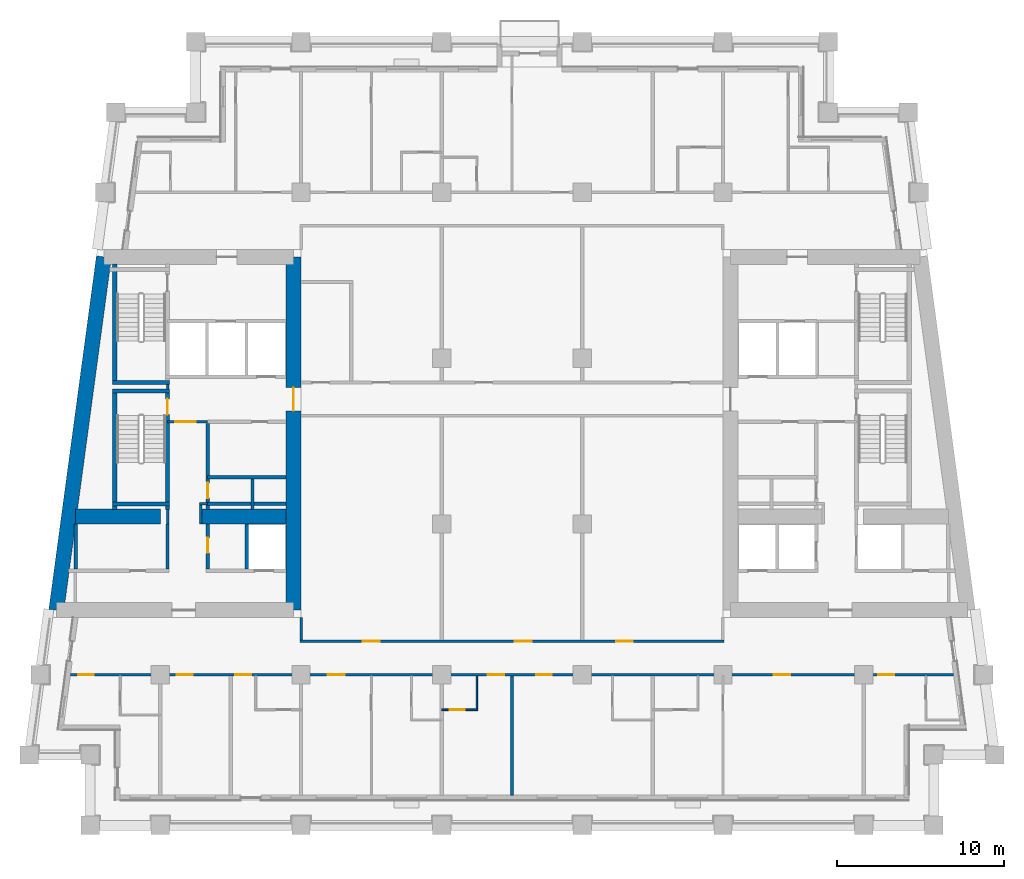
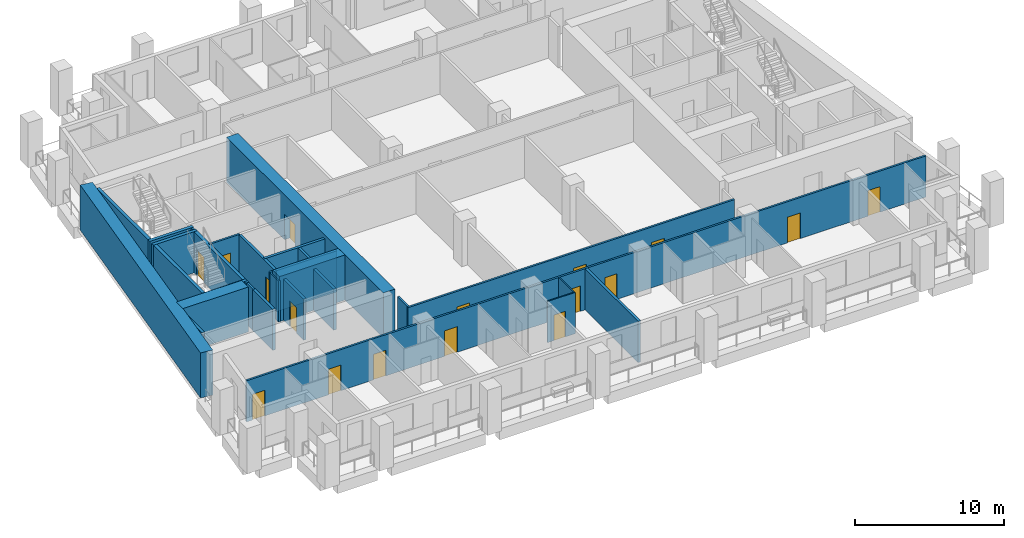
# One storey, part 3 of 12: 29 walls, 17 doors, 17 openings.
"""IFC4 building model written with IfcOpenShell, lengths in metres."""

from ifc_helpers import new_model, si_unit, direction, frame, frame_2d, origin, place, context, subcontext, project, spatial, rectangle, extrude, material, layer, layer_set, type_object, element, fill, save


model = new_model("IFC4")

# Units and contexts
model_context = context("Model", 3, precision=1e-05, world=origin(), true_north=direction((0.0, 1.0)))
body_context = subcontext(model_context, "Body", "Model", "MODEL_VIEW")
ifc_project = project(units=[si_unit("LENGTHUNIT", "METRE"), si_unit("AREAUNIT", "SQUARE_METRE"), si_unit("VOLUMEUNIT", "CUBIC_METRE"), si_unit("PLANEANGLEUNIT", "RADIAN"), si_unit("MASSUNIT", "GRAM", prefix="KILO")], contexts=[model_context])

# Site, building, storey
site_placement = place(None, origin())
site = spatial("IfcSite", under=ifc_project, at=site_placement, CompositionType="ELEMENT")
building_placement = place(site_placement, origin())
building = spatial("IfcBuilding", under=site, at=building_placement, Name="Candeia Pilgrim Tower and Theatre", CompositionType="ELEMENT")
storey_placement = place(building_placement, frame((0.0, 0.0, 166.300048828125)))
storey = spatial("IfcBuildingStorey", under=building, at=storey_placement, Name="L39", CompositionType="ELEMENT", Elevation=166.300048828125)

# Wall, opening, door
ifc_material_1 = material(Name="Concrete C60/75", Category="concrete")
ifc_layer_1 = layer(ifc_material_1, 0.89990234375)
ifc_layer_set_1 = layer_set([ifc_layer_1], Name="Core wall 900 C60/75")
wall_type_1 = type_object("IfcWallType", Name="Core wall 900 C60/75", PredefinedType="SHEAR", material=ifc_layer_set_1)
wall_1_placement = place(storey_placement, frame((100.35009765625, 131.949951171875, 0.0), z_axis=(0.0, 0.0, 1.0), x_axis=(0.0, -1.0, 0.0)))
wall_1 = element("IfcWall", 1, at=wall_1_placement, inside=storey, type_object=wall_type_1, Name="Core wall W2", PredefinedType="SHEAR", context=body_context, shape_type="SweptSolid", body=[
    extrude(rectangle(XDim=21.099853515625, YDim=0.89990234375, at=frame_2d((10.5498046875, 0.0))), origin(), (0.0, 0.0, 1.0), 3.699951171875),
])
opening_1_placement = place(wall_1_placement, frame((7.800048828125, 0.0, 0.0)))
opening_1 = element("IfcOpeningElement", 2, at=opening_1_placement, cuts=wall_1, Name="Opening L39-D054", PredefinedType="OPENING", context=body_context, shape_type="SweptSolid", body=[
    extrude(rectangle(XDim=1.39990234375, YDim=2.10009765625, at=frame_2d((0.699951171875, 1.050048828125))), frame((0.0, 0.4599609375, 0.0), z_axis=(0.0, -1.0, 0.0), x_axis=(1.0, 0.0, 0.0)), (0.0, 0.0, 1.0), 0.919921875),
])
ifc_material_2 = material(Name="Steel fire door set", Category="steel")
door_type_1 = type_object("IfcDoorType", Name="D-1400-FD60", OperationType="NOTDEFINED", PredefinedType="DOOR", material=ifc_material_2)
door_1_placement = place(opening_1_placement, origin())
door_1 = element("IfcDoor", 3, at=door_1_placement, inside=storey, type_object=door_type_1, Name="Door L39-D054", OperationType="SINGLE_SWING_LEFT", OverallHeight=2.10009765625, OverallWidth=1.39990234375, PredefinedType="DOOR", context=body_context, shape_type="SweptSolid", body=[
    extrude(rectangle(XDim=1.39990234375, YDim=2.10009765625, at=frame_2d((0.699951171875, 1.050048828125))), frame((0.0, 0.02490234375, 0.0), z_axis=(0.0, -1.0, 0.0), x_axis=(1.0, 0.0, 0.0)), (0.0, 0.0, 1.0), 0.050048828125),
])
fill(opening_1, door_1)

# Walls
wall_2_placement = place(storey_placement, frame((86.183837890625, 110.85009765625, 0.0), z_axis=(0.0, 0.0, 1.0), x_axis=(0.133410495943, 0.991060865725, 0.0)))
element("IfcWall", 4, at=wall_2_placement, inside=storey, type_object=wall_type_1, Name="Core wall W4", PredefinedType="SHEAR", context=body_context, shape_type="SweptSolid", body=[
    extrude(rectangle(XDim=21.290283203125, YDim=0.89990234375, at=frame_2d((10.64501953125, 0.0))), origin(), (0.0, 0.0, 1.0), 3.699951171875),
])
wall_3_placement = place(storey_placement, frame((87.322998046875, 116.449951171875, 0.0), z_axis=(0.0, 0.0, 1.0), x_axis=(1.0, 0.0, 0.0)))
element("IfcWall", 5, at=wall_3_placement, inside=storey, type_object=wall_type_1, Name="Core wall W5", PredefinedType="SHEAR", context=body_context, shape_type="SweptSolid", body=[
    extrude(rectangle(XDim=5.076904296875, YDim=0.89990234375, at=frame_2d((2.53857421875, 0.0))), origin(), (0.0, 0.0, 1.0), 3.699951171875),
])
wall_4_placement = place(storey_placement, frame((94.800048828125, 116.449951171875, 0.0), z_axis=(0.0, 0.0, 1.0), x_axis=(1.0, 0.0, 0.0)))
element("IfcWall", 6, at=wall_4_placement, inside=storey, type_object=wall_type_1, Name="Core wall W6", PredefinedType="SHEAR", context=body_context, shape_type="SweptSolid", body=[
    extrude(rectangle(XDim=5.099853515625, YDim=0.89990234375, at=frame_2d((2.5498046875, 0.0))), origin(), (0.0, 0.0, 1.0), 3.699951171875),
])

# Wall, opening, door
ifc_material_3 = material(Name="Gypsum board partition on steel studs", Category="steel")
ifc_layer_2 = layer(ifc_material_3, 0.10009765625)
ifc_layer_set_2 = layer_set([ifc_layer_2], Name="PW-100 room partition")
wall_type_2 = type_object("IfcWallType", Name="PW-100 room partition", PredefinedType="PARTITIONING", material=ifc_layer_set_2)
wall_5_placement = place(storey_placement, frame((109.199951171875, 104.89990234375, 0.0), z_axis=(0.0, 0.0, 1.0), x_axis=(1.0, 0.0, 0.0)))
wall_5 = element("IfcWall", 7, at=wall_5_placement, inside=storey, type_object=wall_type_2, Name="Room partition L39-006", PredefinedType="PARTITIONING", context=body_context, shape_type="SweptSolid", body=[
    extrude(rectangle(XDim=2.150146484375, YDim=0.10009765625, at=frame_2d((1.0751953125, 0.0))), origin(), (0.0, 0.0, 1.0), 3.3798828125),
])
opening_2_placement = place(wall_5_placement, frame((0.47509765625, 0.0, 0.0)))
opening_2 = element("IfcOpeningElement", 8, at=opening_2_placement, cuts=wall_5, Name="Opening L39-D023", PredefinedType="OPENING", context=body_context, shape_type="SweptSolid", body=[
    extrude(rectangle(XDim=0.89990234375, YDim=2.10009765625, at=frame_2d((0.449951171875, 1.050048828125))), frame((0.0, 0.06005859375, 0.0), z_axis=(0.0, -1.0, 0.0), x_axis=(1.0, 0.0, 0.0)), (0.0, 0.0, 1.0), 0.1201171875),
])
ifc_material_4 = material(Name="Timber door leaf", Category="wood")
door_type_2 = type_object("IfcDoorType", Name="D-900", OperationType="NOTDEFINED", PredefinedType="DOOR", material=ifc_material_4)
door_2_placement = place(opening_2_placement, origin())
door_2 = element("IfcDoor", 9, at=door_2_placement, inside=storey, type_object=door_type_2, Name="Door L39-D023", OperationType="SINGLE_SWING_RIGHT", OverallHeight=2.10009765625, OverallWidth=0.89990234375, PredefinedType="DOOR", context=body_context, shape_type="SweptSolid", body=[
    extrude(rectangle(XDim=0.89990234375, YDim=2.10009765625, at=frame_2d((0.449951171875, 1.050048828125))), frame((0.0, 0.02490234375, 0.0), z_axis=(0.0, -1.0, 0.0), x_axis=(1.0, 0.0, 0.0)), (0.0, 0.0, 1.0), 0.050048828125),
])
fill(opening_2, door_2)

# Walls
wall_6_placement = place(storey_placement, frame((111.300048828125, 104.949951171875, 0.0), z_axis=(0.0, 0.0, 1.0), x_axis=(0.0, 1.0, 0.0)))
element("IfcWall", 10, at=wall_6_placement, inside=storey, type_object=wall_type_2, Name="Room partition L39-083", PredefinedType="PARTITIONING", context=body_context, shape_type="SweptSolid", body=[
    extrude(rectangle(XDim=1.97509765625, YDim=0.10009765625, at=frame_2d((0.987548828125, 0.0))), origin(), (0.0, 0.0, 1.0), 3.3798828125),
])
ifc_layer_3 = layer(ifc_material_3, 0.14990234375)
ifc_layer_set_3 = layer_set([ifc_layer_3], Name="PW-150 lobby wall")
wall_type_3 = type_object("IfcWallType", Name="PW-150 lobby wall", PredefinedType="PARTITIONING", material=ifc_layer_set_3)
wall_7_placement = place(storey_placement, frame((94.72509765625, 117.199951171875, 0.0), z_axis=(0.0, 0.0, 1.0), x_axis=(1.0, 0.0, 0.0)))
element("IfcWall", 11, at=wall_7_placement, inside=storey, type_object=wall_type_3, Name="Lobby wall L39-016", PredefinedType="PARTITIONING", context=body_context, shape_type="SweptSolid", body=[
    extrude(rectangle(XDim=0.501953125, YDim=0.14990234375, at=frame_2d((0.2509765625, 0.0))), origin(), (0.0, 0.0, 1.0), 3.3798828125),
])

# Wall, opening, door
wall_8_placement = place(storey_placement, frame((92.826904296875, 122.10009765625, 0.0), z_axis=(0.0, 0.0, 1.0), x_axis=(1.0, 0.0, 0.0)))
wall_8 = element("IfcWall", 12, at=wall_8_placement, inside=storey, type_object=wall_type_3, Name="Lobby wall L39-024", PredefinedType="PARTITIONING", context=body_context, shape_type="SweptSolid", body=[
    extrude(rectangle(XDim=2.400146484375, YDim=0.14990234375, at=frame_2d((1.2001953125, 0.0))), origin(), (0.0, 0.0, 1.0), 3.3798828125),
])
opening_3_placement = place(wall_8_placement, frame((0.47509765625, 0.0, 0.0)))
opening_3 = element("IfcOpeningElement", 13, at=opening_3_placement, cuts=wall_8, Name="Opening L39-D001", PredefinedType="OPENING", context=body_context, shape_type="SweptSolid", body=[
    extrude(rectangle(XDim=1.199951171875, YDim=2.10009765625, at=frame_2d((0.60009765625, 1.050048828125))), frame((0.0, 0.0849609375, 0.0), z_axis=(0.0, -1.0, 0.0), x_axis=(1.0, 0.0, 0.0)), (0.0, 0.0, 1.0), 0.169921875),
])
door_type_3 = type_object("IfcDoorType", Name="D-1200-FD60", OperationType="NOTDEFINED", PredefinedType="DOOR", material=ifc_material_2)
door_3_placement = place(opening_3_placement, origin())
door_3 = element("IfcDoor", 14, at=door_3_placement, inside=storey, type_object=door_type_3, Name="Door L39-D001", OperationType="SINGLE_SWING_RIGHT", OverallHeight=2.10009765625, OverallWidth=1.199951171875, PredefinedType="DOOR", context=body_context, shape_type="SweptSolid", body=[
    extrude(rectangle(XDim=1.199951171875, YDim=2.10009765625, at=frame_2d((0.60009765625, 1.050048828125))), frame((0.0, 0.02490234375, 0.0), z_axis=(0.0, -1.0, 0.0), x_axis=(1.0, 0.0, 0.0)), (0.0, 0.0, 1.0), 0.050048828125),
])
fill(opening_3, door_3)

# Walls
wall_9_placement = place(storey_placement, frame((92.826904296875, 116.0, 0.0), z_axis=(0.0, 0.0, 1.0), x_axis=(0.0, 1.0, 0.0)))
element("IfcWall", 15, at=wall_9_placement, inside=storey, type_object=wall_type_3, Name="Lobby wall L39-055", PredefinedType="PARTITIONING", context=body_context, shape_type="SweptSolid", body=[
    extrude(rectangle(XDim=0.8701171875, YDim=0.14990234375, at=frame_2d((0.43505859375, 0.0))), origin(), (0.0, 0.0, 1.0), 3.3798828125),
])
wall_10_placement = place(storey_placement, frame((92.826904296875, 124.074951171875, 0.0), z_axis=(0.0, 0.0, 1.0), x_axis=(0.0, 1.0, 0.0)))
element("IfcWall", 16, at=wall_10_placement, inside=storey, type_object=wall_type_3, Name="Lobby wall L39-056", PredefinedType="PARTITIONING", context=body_context, shape_type="SweptSolid", body=[
    extrude(rectangle(XDim=0.25, YDim=0.14990234375, at=frame_2d((0.125, 0.0))), origin(), (0.0, 0.0, 1.0), 3.3798828125),
])
wall_11_placement = place(storey_placement, frame((94.800048828125, 116.0, 0.0), z_axis=(0.0, 0.0, 1.0), x_axis=(0.0, 1.0, 0.0)))
element("IfcWall", 17, at=wall_11_placement, inside=storey, type_object=wall_type_3, Name="Lobby wall L39-060", PredefinedType="PARTITIONING", context=body_context, shape_type="SweptSolid", body=[
    extrude(rectangle(XDim=1.125, YDim=0.14990234375, at=frame_2d((0.5625, 0.0))), origin(), (0.0, 0.0, 1.0), 3.3798828125),
])

# Wall, openings, doors
ifc_layer_4 = layer(ifc_material_3, 0.14990234375)
ifc_layer_set_4 = layer_set([ifc_layer_4], Name="PW-150 unit wall")
wall_type_4 = type_object("IfcWallType", Name="PW-150 unit wall", PredefinedType="PARTITIONING", material=ifc_layer_set_4)
wall_12_placement = place(storey_placement, frame((87.017578125, 107.0, 0.0), z_axis=(0.0, 0.0, 1.0), x_axis=(1.0, 0.0, 0.0)))
wall_12 = element("IfcWall", 18, at=wall_12_placement, inside=storey, type_object=wall_type_4, Name="Unit wall L39-008", PredefinedType="PARTITIONING", context=body_context, shape_type="SweptSolid", body=[
    extrude(rectangle(XDim=52.7646484375, YDim=0.14990234375, at=frame_2d((26.38232421875, 0.0))), origin(), (0.0, 0.0, 1.0), 3.3798828125),
])
opening_4_placement = place(wall_12_placement, frame((0.46337890625, 0.0, 0.0)))
opening_4 = element("IfcOpeningElement", 19, at=opening_4_placement, cuts=wall_12, Name="Opening L39-D014", PredefinedType="OPENING", context=body_context, shape_type="SweptSolid", body=[
    extrude(rectangle(XDim=0.949951171875, YDim=2.10009765625, at=frame_2d((0.47509765625, 1.050048828125))), frame((0.0, 0.0849609375, 0.0), z_axis=(0.0, -1.0, 0.0), x_axis=(1.0, 0.0, 0.0)), (0.0, 0.0, 1.0), 0.169921875),
])
opening_5_placement = place(wall_12_placement, frame((6.369384765625, 0.0, 0.0)))
opening_5 = element("IfcOpeningElement", 20, at=opening_5_placement, cuts=wall_12, Name="Opening L39-D016", PredefinedType="OPENING", context=body_context, shape_type="SweptSolid", body=[
    extrude(rectangle(XDim=0.949951171875, YDim=2.10009765625, at=frame_2d((0.47509765625, 1.050048828125))), frame((0.0, 0.0849609375, 0.0), z_axis=(0.0, -1.0, 0.0), x_axis=(1.0, 0.0, 0.0)), (0.0, 0.0, 1.0), 0.169921875),
])
opening_6_placement = place(wall_12_placement, frame((9.857421875, 0.0, 0.0)))
opening_6 = element("IfcOpeningElement", 21, at=opening_6_placement, cuts=wall_12, Name="Opening L39-D017", PredefinedType="OPENING", context=body_context, shape_type="SweptSolid", body=[
    extrude(rectangle(XDim=0.949951171875, YDim=2.10009765625, at=frame_2d((0.47509765625, 1.050048828125))), frame((0.0, 0.0849609375, 0.0), z_axis=(0.0, -1.0, 0.0), x_axis=(1.0, 0.0, 0.0)), (0.0, 0.0, 1.0), 0.169921875),
])
opening_7_placement = place(wall_12_placement, frame((15.38232421875, 0.0, 0.0)))
opening_7 = element("IfcOpeningElement", 22, at=opening_7_placement, cuts=wall_12, Name="Opening L39-D019", PredefinedType="OPENING", context=body_context, shape_type="SweptSolid", body=[
    extrude(rectangle(XDim=1.0, YDim=2.10009765625, at=frame_2d((0.5, 1.050048828125))), frame((0.0, 0.0849609375, 0.0), z_axis=(0.0, -1.0, 0.0), x_axis=(1.0, 0.0, 0.0)), (0.0, 0.0, 1.0), 0.169921875),
])
opening_8_placement = place(wall_12_placement, frame((24.932373046875, 0.0, 0.0)))
opening_8 = element("IfcOpeningElement", 23, at=opening_8_placement, cuts=wall_12, Name="Opening L39-D022", PredefinedType="OPENING", context=body_context, shape_type="SweptSolid", body=[
    extrude(rectangle(XDim=1.0, YDim=2.10009765625, at=frame_2d((0.5, 1.050048828125))), frame((0.0, 0.0849609375, 0.0), z_axis=(0.0, -1.0, 0.0), x_axis=(1.0, 0.0, 0.0)), (0.0, 0.0, 1.0), 0.169921875),
])
opening_9_placement = place(wall_12_placement, frame((27.8193359375, 0.0, 0.0)))
opening_9 = element("IfcOpeningElement", 24, at=opening_9_placement, cuts=wall_12, Name="Opening L39-D024", PredefinedType="OPENING", context=body_context, shape_type="SweptSolid", body=[
    extrude(rectangle(XDim=0.949951171875, YDim=2.10009765625, at=frame_2d((0.47509765625, 1.050048828125))), frame((0.0, 0.0849609375, 0.0), z_axis=(0.0, -1.0, 0.0), x_axis=(1.0, 0.0, 0.0)), (0.0, 0.0, 1.0), 0.169921875),
])
opening_10_placement = place(wall_12_placement, frame((42.01220703125, 0.0, 0.0)))
opening_10 = element("IfcOpeningElement", 25, at=opening_10_placement, cuts=wall_12, Name="Opening L39-D026", PredefinedType="OPENING", context=body_context, shape_type="SweptSolid", body=[
    extrude(rectangle(XDim=1.0, YDim=2.10009765625, at=frame_2d((0.5, 1.050048828125))), frame((0.0, 0.0849609375, 0.0), z_axis=(0.0, -1.0, 0.0), x_axis=(1.0, 0.0, 0.0)), (0.0, 0.0, 1.0), 0.169921875),
])
opening_11_placement = place(wall_12_placement, frame((48.249267578125, 0.0, 0.0)))
opening_11 = element("IfcOpeningElement", 26, at=opening_11_placement, cuts=wall_12, Name="Opening L39-D029", PredefinedType="OPENING", context=body_context, shape_type="SweptSolid", body=[
    extrude(rectangle(XDim=0.949951171875, YDim=2.10009765625, at=frame_2d((0.47509765625, 1.050048828125))), frame((0.0, 0.0849609375, 0.0), z_axis=(0.0, -1.0, 0.0), x_axis=(1.0, 0.0, 0.0)), (0.0, 0.0, 1.0), 0.169921875),
])
door_type_4 = type_object("IfcDoorType", Name="D-1000-FD30S", OperationType="NOTDEFINED", PredefinedType="DOOR", material=ifc_material_2)
door_4_placement = place(opening_7_placement, origin())
door_4 = element("IfcDoor", 27, at=door_4_placement, inside=storey, type_object=door_type_4, Name="Door L39-D019", OperationType="SINGLE_SWING_RIGHT", OverallHeight=2.10009765625, OverallWidth=1.0, PredefinedType="DOOR", context=body_context, shape_type="SweptSolid", body=[
    extrude(rectangle(XDim=1.0, YDim=2.10009765625, at=frame_2d((0.5, 1.050048828125))), frame((0.0, 0.02490234375, 0.0), z_axis=(0.0, -1.0, 0.0), x_axis=(1.0, 0.0, 0.0)), (0.0, 0.0, 1.0), 0.050048828125),
])
fill(opening_7, door_4)
door_5_placement = place(opening_8_placement, origin())
door_5 = element("IfcDoor", 28, at=door_5_placement, inside=storey, type_object=door_type_4, Name="Door L39-D022", OperationType="SINGLE_SWING_LEFT", OverallHeight=2.10009765625, OverallWidth=1.0, PredefinedType="DOOR", context=body_context, shape_type="SweptSolid", body=[
    extrude(rectangle(XDim=1.0, YDim=2.10009765625, at=frame_2d((0.5, 1.050048828125))), frame((0.0, 0.02490234375, 0.0), z_axis=(0.0, -1.0, 0.0), x_axis=(1.0, 0.0, 0.0)), (0.0, 0.0, 1.0), 0.050048828125),
])
fill(opening_8, door_5)
door_6_placement = place(opening_10_placement, origin())
door_6 = element("IfcDoor", 29, at=door_6_placement, inside=storey, type_object=door_type_4, Name="Door L39-D026", OperationType="SINGLE_SWING_LEFT", OverallHeight=2.10009765625, OverallWidth=1.0, PredefinedType="DOOR", context=body_context, shape_type="SweptSolid", body=[
    extrude(rectangle(XDim=1.0, YDim=2.10009765625, at=frame_2d((0.5, 1.050048828125))), frame((0.0, 0.02490234375, 0.0), z_axis=(0.0, -1.0, 0.0), x_axis=(1.0, 0.0, 0.0)), (0.0, 0.0, 1.0), 0.050048828125),
])
fill(opening_10, door_6)
door_type_5 = type_object("IfcDoorType", Name="D-950-FD30S", OperationType="NOTDEFINED", PredefinedType="DOOR", material=ifc_material_2)
door_7_placement = place(opening_4_placement, origin())
door_7 = element("IfcDoor", 30, at=door_7_placement, inside=storey, type_object=door_type_5, Name="Door L39-D014", OperationType="SINGLE_SWING_LEFT", OverallHeight=2.10009765625, OverallWidth=0.949951171875, PredefinedType="DOOR", context=body_context, shape_type="SweptSolid", body=[
    extrude(rectangle(XDim=0.949951171875, YDim=2.10009765625, at=frame_2d((0.47509765625, 1.050048828125))), frame((0.0, 0.02490234375, 0.0), z_axis=(0.0, -1.0, 0.0), x_axis=(1.0, 0.0, 0.0)), (0.0, 0.0, 1.0), 0.050048828125),
])
fill(opening_4, door_7)
door_8_placement = place(opening_5_placement, origin())
door_8 = element("IfcDoor", 31, at=door_8_placement, inside=storey, type_object=door_type_5, Name="Door L39-D016", OperationType="SINGLE_SWING_LEFT", OverallHeight=2.10009765625, OverallWidth=0.949951171875, PredefinedType="DOOR", context=body_context, shape_type="SweptSolid", body=[
    extrude(rectangle(XDim=0.949951171875, YDim=2.10009765625, at=frame_2d((0.47509765625, 1.050048828125))), frame((0.0, 0.02490234375, 0.0), z_axis=(0.0, -1.0, 0.0), x_axis=(1.0, 0.0, 0.0)), (0.0, 0.0, 1.0), 0.050048828125),
])
fill(opening_5, door_8)
door_9_placement = place(opening_6_placement, origin())
door_9 = element("IfcDoor", 32, at=door_9_placement, inside=storey, type_object=door_type_5, Name="Door L39-D017", OperationType="SINGLE_SWING_RIGHT", OverallHeight=2.10009765625, OverallWidth=0.949951171875, PredefinedType="DOOR", context=body_context, shape_type="SweptSolid", body=[
    extrude(rectangle(XDim=0.949951171875, YDim=2.10009765625, at=frame_2d((0.47509765625, 1.050048828125))), frame((0.0, 0.02490234375, 0.0), z_axis=(0.0, -1.0, 0.0), x_axis=(1.0, 0.0, 0.0)), (0.0, 0.0, 1.0), 0.050048828125),
])
fill(opening_6, door_9)
door_10_placement = place(opening_9_placement, origin())
door_10 = element("IfcDoor", 33, at=door_10_placement, inside=storey, type_object=door_type_5, Name="Door L39-D024", OperationType="SINGLE_SWING_LEFT", OverallHeight=2.10009765625, OverallWidth=0.949951171875, PredefinedType="DOOR", context=body_context, shape_type="SweptSolid", body=[
    extrude(rectangle(XDim=0.949951171875, YDim=2.10009765625, at=frame_2d((0.47509765625, 1.050048828125))), frame((0.0, 0.02490234375, 0.0), z_axis=(0.0, -1.0, 0.0), x_axis=(1.0, 0.0, 0.0)), (0.0, 0.0, 1.0), 0.050048828125),
])
fill(opening_9, door_10)
door_11_placement = place(opening_11_placement, origin())
door_11 = element("IfcDoor", 34, at=door_11_placement, inside=storey, type_object=door_type_5, Name="Door L39-D029", OperationType="SINGLE_SWING_RIGHT", OverallHeight=2.10009765625, OverallWidth=0.949951171875, PredefinedType="DOOR", context=body_context, shape_type="SweptSolid", body=[
    extrude(rectangle(XDim=0.949951171875, YDim=2.10009765625, at=frame_2d((0.47509765625, 1.050048828125))), frame((0.0, 0.02490234375, 0.0), z_axis=(0.0, -1.0, 0.0), x_axis=(1.0, 0.0, 0.0)), (0.0, 0.0, 1.0), 0.050048828125),
])
fill(opening_11, door_11)

wall_13_placement = place(storey_placement, frame((100.72509765625, 109.0, 0.0), z_axis=(0.0, 0.0, 1.0), x_axis=(1.0, 0.0, 0.0)))
wall_13 = element("IfcWall", 35, at=wall_13_placement, inside=storey, type_object=wall_type_4, Name="Unit wall L39-009", PredefinedType="PARTITIONING", context=body_context, shape_type="SweptSolid", body=[
    extrude(rectangle(XDim=25.349853515625, YDim=0.14990234375, at=frame_2d((12.6748046875, 0.0))), origin(), (0.0, 0.0, 1.0), 3.3798828125),
])
opening_12_placement = place(wall_13_placement, frame((3.77490234375, 0.0, 0.0)))
opening_12 = element("IfcOpeningElement", 36, at=opening_12_placement, cuts=wall_13, Name="Opening L39-D046", PredefinedType="OPENING", context=body_context, shape_type="SweptSolid", body=[
    extrude(rectangle(XDim=1.0, YDim=2.10009765625, at=frame_2d((0.5, 1.050048828125))), frame((0.0, 0.0849609375, 0.0), z_axis=(0.0, -1.0, 0.0), x_axis=(1.0, 0.0, 0.0)), (0.0, 0.0, 1.0), 0.169921875),
])
opening_13_placement = place(wall_13_placement, frame((12.844970703125, 0.0, 0.0)))
opening_13 = element("IfcOpeningElement", 37, at=opening_13_placement, cuts=wall_13, Name="Opening L39-D047", PredefinedType="OPENING", context=body_context, shape_type="SweptSolid", body=[
    extrude(rectangle(XDim=1.0, YDim=2.10009765625, at=frame_2d((0.5, 1.050048828125))), frame((0.0, 0.0849609375, 0.0), z_axis=(0.0, -1.0, 0.0), x_axis=(1.0, 0.0, 0.0)), (0.0, 0.0, 1.0), 0.169921875),
])
opening_14_placement = place(wall_13_placement, frame((18.89990234375, 0.0, 0.0)))
opening_14 = element("IfcOpeningElement", 38, at=opening_14_placement, cuts=wall_13, Name="Opening L39-D048", PredefinedType="OPENING", context=body_context, shape_type="SweptSolid", body=[
    extrude(rectangle(XDim=1.0, YDim=2.10009765625, at=frame_2d((0.5, 1.050048828125))), frame((0.0, 0.0849609375, 0.0), z_axis=(0.0, -1.0, 0.0), x_axis=(1.0, 0.0, 0.0)), (0.0, 0.0, 1.0), 0.169921875),
])
door_12_placement = place(opening_12_placement, origin())
door_12 = element("IfcDoor", 39, at=door_12_placement, inside=storey, type_object=door_type_4, Name="Door L39-D046", OperationType="SINGLE_SWING_LEFT", OverallHeight=2.10009765625, OverallWidth=1.0, PredefinedType="DOOR", context=body_context, shape_type="SweptSolid", body=[
    extrude(rectangle(XDim=1.0, YDim=2.10009765625, at=frame_2d((0.5, 1.050048828125))), frame((0.0, 0.02490234375, 0.0), z_axis=(0.0, -1.0, 0.0), x_axis=(1.0, 0.0, 0.0)), (0.0, 0.0, 1.0), 0.050048828125),
])
fill(opening_12, door_12)
door_13_placement = place(opening_13_placement, origin())
door_13 = element("IfcDoor", 40, at=door_13_placement, inside=storey, type_object=door_type_4, Name="Door L39-D047", OperationType="SINGLE_SWING_RIGHT", OverallHeight=2.10009765625, OverallWidth=1.0, PredefinedType="DOOR", context=body_context, shape_type="SweptSolid", body=[
    extrude(rectangle(XDim=1.0, YDim=2.10009765625, at=frame_2d((0.5, 1.050048828125))), frame((0.0, 0.02490234375, 0.0), z_axis=(0.0, -1.0, 0.0), x_axis=(1.0, 0.0, 0.0)), (0.0, 0.0, 1.0), 0.050048828125),
])
fill(opening_13, door_13)
door_14_placement = place(opening_14_placement, origin())
door_14 = element("IfcDoor", 41, at=door_14_placement, inside=storey, type_object=door_type_4, Name="Door L39-D048", OperationType="SINGLE_SWING_LEFT", OverallHeight=2.10009765625, OverallWidth=1.0, PredefinedType="DOOR", context=body_context, shape_type="SweptSolid", body=[
    extrude(rectangle(XDim=1.0, YDim=2.10009765625, at=frame_2d((0.5, 1.050048828125))), frame((0.0, 0.02490234375, 0.0), z_axis=(0.0, -1.0, 0.0), x_axis=(1.0, 0.0, 0.0)), (0.0, 0.0, 1.0), 0.050048828125),
])
fill(opening_14, door_14)

# Walls
wall_14_placement = place(storey_placement, frame((100.800048828125, 109.074951171875, 0.0), z_axis=(0.0, 0.0, 1.0), x_axis=(0.0, 1.0, 0.0)))
element("IfcWall", 42, at=wall_14_placement, inside=storey, type_object=wall_type_4, Name="Unit wall L39-072", PredefinedType="PARTITIONING", context=body_context, shape_type="SweptSolid", body=[
    extrude(rectangle(XDim=1.324951171875, YDim=0.14990234375, at=frame_2d((0.66259765625, 0.0))), origin(), (0.0, 0.0, 1.0), 3.3798828125),
])
ifc_layer_5 = layer(ifc_material_3, 0.199951171875)
ifc_layer_set_5 = layer_set([ifc_layer_5], Name="PW-200 party wall")
wall_type_5 = type_object("IfcWallType", Name="PW-200 party wall", PredefinedType="PARTITIONING", material=ifc_layer_set_5)
wall_15_placement = place(storey_placement, frame((113.39990234375, 99.7900390625, 0.0), z_axis=(0.0, 0.0, 1.0), x_axis=(0.0, 1.0, 0.0)))
element("IfcWall", 43, at=wall_15_placement, inside=storey, type_object=wall_type_5, Name="Party wall L39-086", PredefinedType="PARTITIONING", context=body_context, shape_type="SweptSolid", body=[
    extrude(rectangle(XDim=7.135009765625, YDim=0.199951171875, at=frame_2d((3.5673828125, 0.0))), origin(), (0.0, 0.0, 1.0), 3.3798828125),
])
ifc_material_5 = material(Name="Concrete C40/50", Category="concrete")
ifc_layer_6 = layer(ifc_material_5, 0.199951171875)
ifc_layer_set_6 = layer_set([ifc_layer_6], Name="SW-200 shaft wall")
wall_type_6 = type_object("IfcWallType", Name="SW-200 shaft wall", PredefinedType="PARTITIONING", material=ifc_layer_set_6)
for number, where, z_axis, x_axis, name in (
    (44, (95.22705078125, 117.199951171875, 0.0), (0.0, 0.0, 1.0), (1.0, 0.0, 0.0), "Shaft wall L39-014"),
    (45, (95.22705078125, 118.800048828125, 0.0), (0.0, 0.0, 1.0), (1.0, 0.0, 0.0), "Shaft wall L39-020"),
):
    element("IfcWall", number, at=place(storey_placement, frame(where, z_axis=z_axis, x_axis=x_axis)), inside=storey, type_object=wall_type_6, Name=name, PredefinedType="PARTITIONING", context=body_context, shape_type="SweptSolid", body=[
        extrude(rectangle(XDim=4.6728515625, YDim=0.199951171875, at=frame_2d((2.33642578125, 0.0))), origin(), (0.0, 0.0, 1.0), 3.3798828125),
    ])
for number, where, z_axis, x_axis, name in (
    (46, (87.350341796875, 113.300048828125, 0.0), (0.0, 0.0, 1.0), (0.0, 1.0, 0.0), "Shaft wall L39-048"),
    (47, (92.826904296875, 113.300048828125, 0.0), (0.0, 0.0, 1.0), (0.0, 1.0, 0.0), "Shaft wall L39-054"),
):
    element("IfcWall", number, at=place(storey_placement, frame(where, z_axis=z_axis, x_axis=x_axis)), inside=storey, type_object=wall_type_6, Name=name, PredefinedType="PARTITIONING", context=body_context, shape_type="SweptSolid", body=[
        extrude(rectangle(XDim=2.699951171875, YDim=0.199951171875, at=frame_2d((1.35009765625, 0.0))), origin(), (0.0, 0.0, 1.0), 3.3798828125),
    ])

# Wall, opening, door
wall_16_placement = place(storey_placement, frame((95.22705078125, 113.300048828125, 0.0), z_axis=(0.0, 0.0, 1.0), x_axis=(0.0, 1.0, 0.0)))
wall_16 = element("IfcWall", 48, at=wall_16_placement, inside=storey, type_object=wall_type_6, Name="Shaft wall L39-062", PredefinedType="PARTITIONING", context=body_context, shape_type="SweptSolid", body=[
    extrude(rectangle(XDim=2.699951171875, YDim=0.199951171875, at=frame_2d((1.35009765625, 0.0))), origin(), (0.0, 0.0, 1.0), 3.3798828125),
])
opening_15_placement = place(wall_16_placement, frame((0.969970703125, 0.0, 0.0)))
opening_15 = element("IfcOpeningElement", 49, at=opening_15_placement, cuts=wall_16, Name="Opening L39-D007", PredefinedType="OPENING", context=body_context, shape_type="SweptSolid", body=[
    extrude(rectangle(XDim=0.89990234375, YDim=2.10009765625, at=frame_2d((0.449951171875, 1.050048828125))), frame((0.0, 0.10986328125, 0.0), z_axis=(0.0, -1.0, 0.0), x_axis=(1.0, 0.0, 0.0)), (0.0, 0.0, 1.0), 0.219970703125),
])
door_type_6 = type_object("IfcDoorType", Name="D-900-FD60", OperationType="NOTDEFINED", PredefinedType="DOOR", material=ifc_material_2)
door_15_placement = place(opening_15_placement, origin())
door_15 = element("IfcDoor", 50, at=door_15_placement, inside=storey, type_object=door_type_6, Name="Door L39-D007", OperationType="SINGLE_SWING_LEFT", OverallHeight=2.10009765625, OverallWidth=0.89990234375, PredefinedType="DOOR", context=body_context, shape_type="SweptSolid", body=[
    extrude(rectangle(XDim=0.89990234375, YDim=2.10009765625, at=frame_2d((0.449951171875, 1.050048828125))), frame((0.0, 0.02490234375, 0.0), z_axis=(0.0, -1.0, 0.0), x_axis=(1.0, 0.0, 0.0)), (0.0, 0.0, 1.0), 0.050048828125),
])
fill(opening_15, door_15)

wall_17_placement = place(storey_placement, frame((95.22705078125, 116.8701171875, 0.0), z_axis=(0.0, 0.0, 1.0), x_axis=(0.0, 1.0, 0.0)))
wall_17 = element("IfcWall", 51, at=wall_17_placement, inside=storey, type_object=wall_type_6, Name="Shaft wall L39-063", PredefinedType="PARTITIONING", context=body_context, shape_type="SweptSolid", body=[
    extrude(rectangle(XDim=5.1298828125, YDim=0.199951171875, at=frame_2d((2.56494140625, 0.0))), origin(), (0.0, 0.0, 1.0), 3.3798828125),
])
opening_16_placement = place(wall_17_placement, frame((0.679931640625, 0.0, 0.0)))
opening_16 = element("IfcOpeningElement", 52, at=opening_16_placement, cuts=wall_17, Name="Opening L39-D005", PredefinedType="OPENING", context=body_context, shape_type="SweptSolid", body=[
    extrude(rectangle(XDim=0.89990234375, YDim=2.10009765625, at=frame_2d((0.449951171875, 1.050048828125))), frame((0.0, 0.10986328125, 0.0), z_axis=(0.0, -1.0, 0.0), x_axis=(1.0, 0.0, 0.0)), (0.0, 0.0, 1.0), 0.219970703125),
])
door_16_placement = place(opening_16_placement, origin())
door_16 = element("IfcDoor", 53, at=door_16_placement, inside=storey, type_object=door_type_6, Name="Door L39-D005", OperationType="SINGLE_SWING_RIGHT", OverallHeight=2.10009765625, OverallWidth=0.89990234375, PredefinedType="DOOR", context=body_context, shape_type="SweptSolid", body=[
    extrude(rectangle(XDim=0.89990234375, YDim=2.10009765625, at=frame_2d((0.449951171875, 1.050048828125))), frame((0.0, 0.02490234375, 0.0), z_axis=(0.0, -1.0, 0.0), x_axis=(1.0, 0.0, 0.0)), (0.0, 0.0, 1.0), 0.050048828125),
])
fill(opening_16, door_16)

# Walls
wall_18_placement = place(storey_placement, frame((97.5634765625, 113.300048828125, 0.0), z_axis=(0.0, 0.0, 1.0), x_axis=(0.0, 1.0, 0.0)))
element("IfcWall", 54, at=wall_18_placement, inside=storey, type_object=wall_type_6, Name="Shaft wall L39-067", PredefinedType="PARTITIONING", context=body_context, shape_type="SweptSolid", body=[
    extrude(rectangle(XDim=2.699951171875, YDim=0.199951171875, at=frame_2d((1.35009765625, 0.0))), origin(), (0.0, 0.0, 1.0), 3.3798828125),
])
wall_19_placement = place(storey_placement, frame((97.89990234375, 116.8701171875, 0.0), z_axis=(0.0, 0.0, 1.0), x_axis=(0.0, 1.0, 0.0)))
element("IfcWall", 55, at=wall_19_placement, inside=storey, type_object=wall_type_6, Name="Shaft wall L39-068", PredefinedType="PARTITIONING", context=body_context, shape_type="SweptSolid", body=[
    extrude(rectangle(XDim=1.829833984375, YDim=0.199951171875, at=frame_2d((0.9150390625, 0.0))), origin(), (0.0, 0.0, 1.0), 3.3798828125),
])
ifc_layer_7 = layer(ifc_material_5, 0.25)
ifc_layer_set_7 = layer_set([ifc_layer_7], Name="SW-250 stair wall")
wall_type_7 = type_object("IfcWallType", Name="SW-250 stair wall", PredefinedType="PARTITIONING", material=ifc_layer_set_7)
for number, where, z_axis, x_axis, name in (
    (56, (89.552001953125, 117.199951171875, 0.0), (0.0, 0.0, 1.0), (1.0, 0.0, 0.0), "Stair wall L39-018"),
    (57, (89.552001953125, 123.949951171875, 0.0), (0.0, 0.0, 1.0), (1.0, 0.0, 0.0), "Stair wall L39-027"),
    (58, (89.552001953125, 124.449951171875, 0.0), (0.0, 0.0, 1.0), (1.0, 0.0, 0.0), "Stair wall L39-029"),
):
    element("IfcWall", number, at=place(storey_placement, frame(where, z_axis=z_axis, x_axis=x_axis)), inside=storey, type_object=wall_type_7, Name=name, PredefinedType="PARTITIONING", context=body_context, shape_type="SweptSolid", body=[
        extrude(rectangle(XDim=3.39990234375, YDim=0.25, at=frame_2d((1.699951171875, 0.0))), origin(), (0.0, 0.0, 1.0), 3.3798828125),
    ])
wall_20_placement = place(storey_placement, frame((89.677001953125, 116.8701171875, 0.0), z_axis=(0.0, 0.0, 1.0), x_axis=(0.0, 1.0, 0.0)))
element("IfcWall", 59, at=wall_20_placement, inside=storey, type_object=wall_type_7, Name="Stair wall L39-050", PredefinedType="PARTITIONING", context=body_context, shape_type="SweptSolid", body=[
    extrude(rectangle(XDim=6.954833984375, YDim=0.25, at=frame_2d((3.4775390625, 0.0))), origin(), (0.0, 0.0, 1.0), 3.3798828125),
])
wall_21_placement = place(storey_placement, frame((89.677001953125, 124.574951171875, 0.0), z_axis=(0.0, 0.0, 1.0), x_axis=(0.0, 1.0, 0.0)))
element("IfcWall", 60, at=wall_21_placement, inside=storey, type_object=wall_type_7, Name="Stair wall L39-051", PredefinedType="PARTITIONING", context=body_context, shape_type="SweptSolid", body=[
    extrude(rectangle(XDim=6.955078125, YDim=0.25, at=frame_2d((3.4775390625, 0.0))), origin(), (0.0, 0.0, 1.0), 3.3798828125),
])

# Wall, opening, door
wall_22_placement = place(storey_placement, frame((92.826904296875, 116.8701171875, 0.0), z_axis=(0.0, 0.0, 1.0), x_axis=(0.0, 1.0, 0.0)))
wall_22 = element("IfcWall", 61, at=wall_22_placement, inside=storey, type_object=wall_type_7, Name="Stair wall L39-057", PredefinedType="PARTITIONING", context=body_context, shape_type="SweptSolid", body=[
    extrude(rectangle(XDim=6.954833984375, YDim=0.25, at=frame_2d((3.4775390625, 0.0))), origin(), (0.0, 0.0, 1.0), 3.3798828125),
])
opening_17_placement = place(wall_22_placement, frame((5.655029296875, 0.0, 0.0)))
opening_17 = element("IfcOpeningElement", 62, at=opening_17_placement, cuts=wall_22, Name="Opening L39-D003", PredefinedType="OPENING", context=body_context, shape_type="SweptSolid", body=[
    extrude(rectangle(XDim=0.949951171875, YDim=2.10009765625, at=frame_2d((0.47509765625, 1.050048828125))), frame((0.0, 0.135009765625, 0.0), z_axis=(0.0, -1.0, 0.0), x_axis=(1.0, 0.0, 0.0)), (0.0, 0.0, 1.0), 0.27001953125),
])
door_type_7 = type_object("IfcDoorType", Name="D-950-FD60", OperationType="NOTDEFINED", PredefinedType="DOOR", material=ifc_material_2)
door_17_placement = place(opening_17_placement, origin())
door_17 = element("IfcDoor", 63, at=door_17_placement, inside=storey, type_object=door_type_7, Name="Door L39-D003", OperationType="SINGLE_SWING_RIGHT", OverallHeight=2.10009765625, OverallWidth=0.949951171875, PredefinedType="DOOR", context=body_context, shape_type="SweptSolid", body=[
    extrude(rectangle(XDim=0.949951171875, YDim=2.10009765625, at=frame_2d((0.47509765625, 1.050048828125))), frame((0.0, 0.02490234375, 0.0), z_axis=(0.0, -1.0, 0.0), x_axis=(1.0, 0.0, 0.0)), (0.0, 0.0, 1.0), 0.050048828125),
])
fill(opening_17, door_17)

save(model, "model.ifc")
